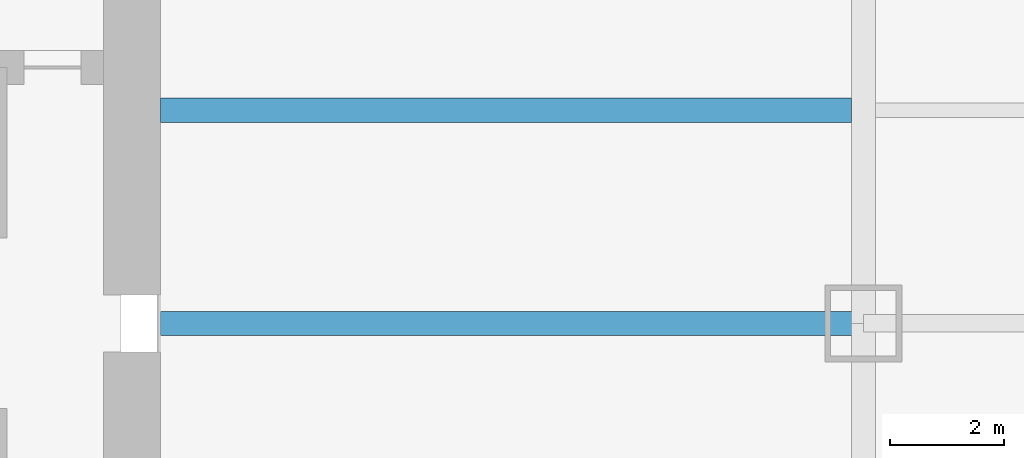
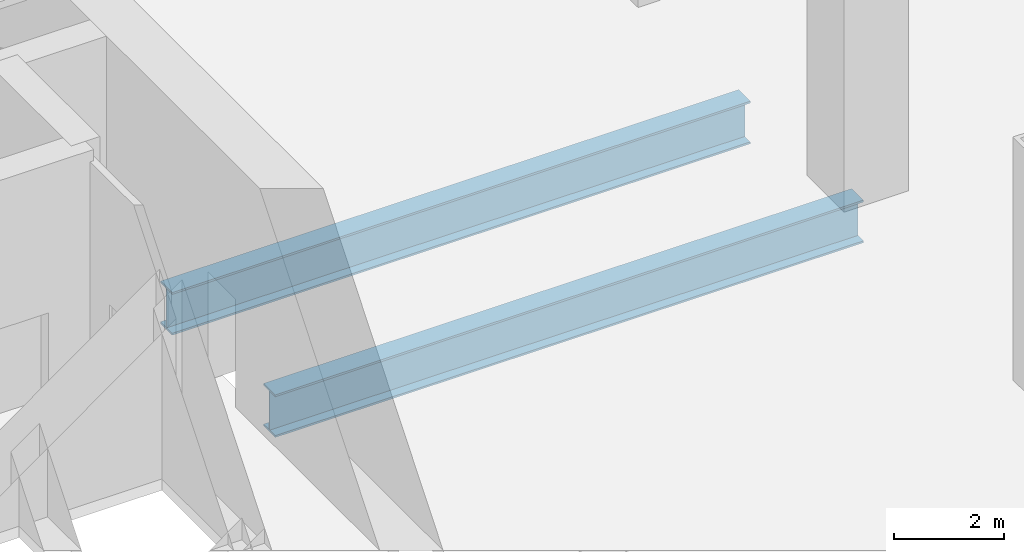
# One storey, part 5 of 17: 2 beams.
"""IFC4 building model written with IfcOpenShell, lengths in metres."""

from ifc_helpers import new_model, si_unit, direction, frame, origin, origin_2d, place, context, subcontext, project, spatial, i_section, extrude, material, material_profile, profile_set, type_object, element, save


model = new_model("IFC4")

# Units and contexts
model_context = context("Model", 3, precision=1e-05, world=origin(), true_north=direction((0.0, 1.0)))
body_context = subcontext(model_context, "Body", "Model", "MODEL_VIEW")
ifc_project = project(units=[si_unit("LENGTHUNIT", "METRE"), si_unit("AREAUNIT", "SQUARE_METRE"), si_unit("VOLUMEUNIT", "CUBIC_METRE"), si_unit("PLANEANGLEUNIT", "RADIAN"), si_unit("MASSUNIT", "GRAM", prefix="KILO")], contexts=[model_context])

# Site, building, storey
site_placement = place(None, origin())
site = spatial("IfcSite", under=ifc_project, at=site_placement, CompositionType="ELEMENT")
building_placement = place(site_placement, origin())
building = spatial("IfcBuilding", under=site, at=building_placement, Name="Tarangal Relay Tower", CompositionType="ELEMENT")
storey_placement = place(building_placement, frame((0.0, 0.0, 18.0)))
storey = spatial("IfcBuildingStorey", under=building, at=storey_placement, Name="L03", CompositionType="ELEMENT", Elevation=18.0)

# Beams
ifc_material = material(Name="Steel ASTM A992", Category="steel")
ifc_material_profile = material_profile(ifc_material, i_section(OverallWidth=0.42431640625, OverallDepth=0.947509765625, WebThickness=0.02392578125, FlangeThickness=0.042724609375, at=origin_2d()), Name="W36X302")
ifc_profile_set = profile_set([ifc_material_profile], Name="Steel ASTM A992")
beam_type = type_object("IfcBeamType", Name="Floor beam W36X302", PredefinedType="BEAM", material=ifc_profile_set)
beam_1_placement = place(storey_placement, frame((12.0, 3.75, -0.7236328125), z_axis=(1.0, 0.0, 0.0), x_axis=(0.0, 1.0, 0.0)))
element("IfcBeam", 1, at=beam_1_placement, inside=storey, type_object=beam_type, Name="Floor beam RB10 E L03", PredefinedType="BEAM", context=body_context, shape_type="SweptSolid", body=[
    extrude(i_section(OverallWidth=0.42431640625, OverallDepth=0.947509765625, WebThickness=0.02392578125, FlangeThickness=0.042724609375, at=origin_2d()), origin(), (0.0, 0.0, 1.0), 12.153076171875),
])
beam_2_placement = place(storey_placement, frame((12.0, 0.0, -0.7236328125), z_axis=(1.0, 0.0, 0.0), x_axis=(0.0, 1.0, 0.0)))
element("IfcBeam", 2, at=beam_2_placement, inside=storey, type_object=beam_type, Name="Floor beam RB10 E L03", PredefinedType="BEAM", context=body_context, shape_type="SweptSolid", body=[
    extrude(i_section(OverallWidth=0.42431640625, OverallDepth=0.947509765625, WebThickness=0.02392578125, FlangeThickness=0.042724609375, at=origin_2d()), origin(), (0.0, 0.0, 1.0), 12.364990234375),
])

save(model, "model.ifc")
